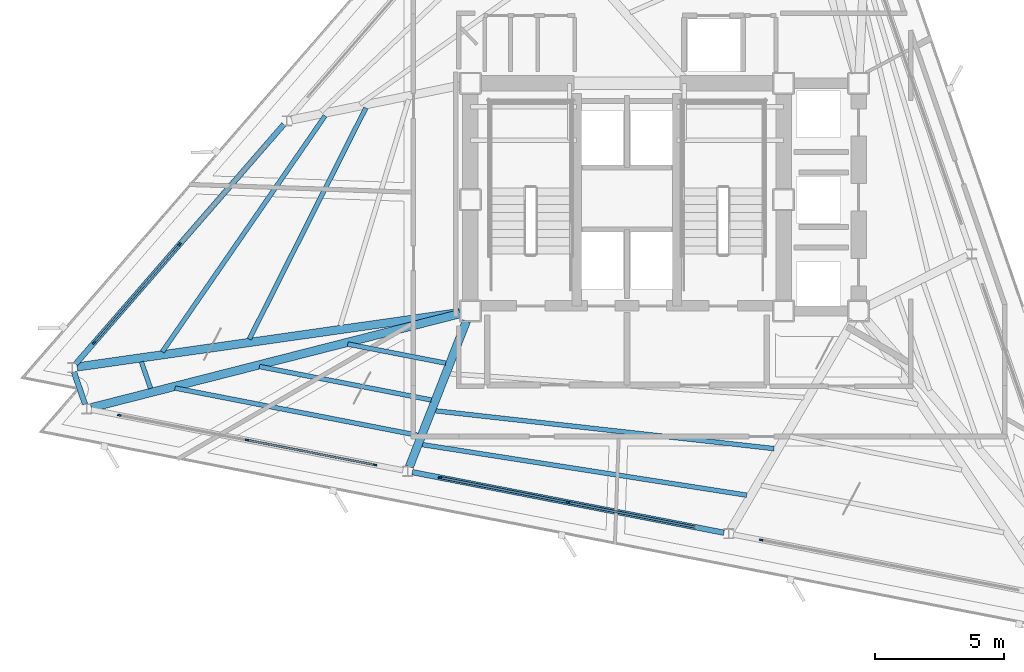
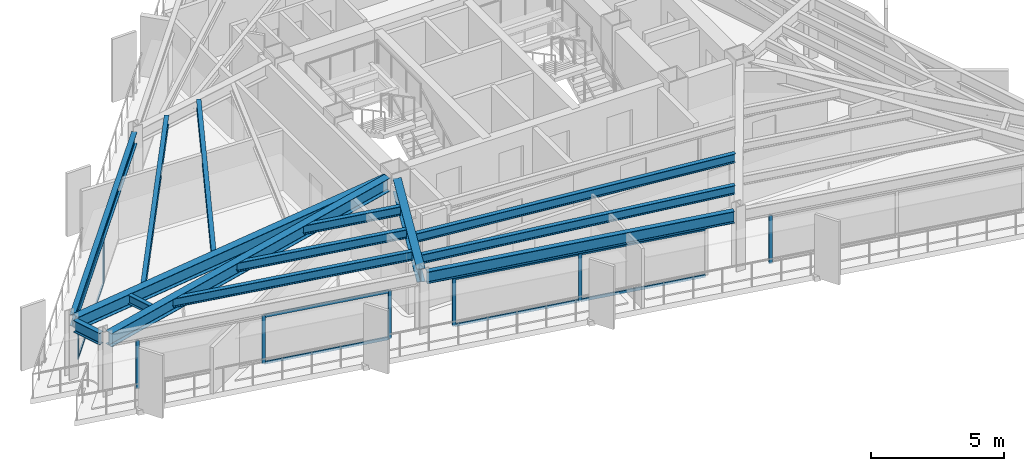
# One storey, part 2 of 13: 16 members, 14 beams, 4 elements without a shape of their own.
"""IFC4 building model written with IfcOpenShell, lengths in metres."""

from ifc_helpers import new_model, si_unit, direction, frame, origin, origin_2d, place, context, subcontext, project, spatial, rectangle, i_section, extrude, material, layer, layer_set, material_profile, profile_set, type_object, element, aggregate, save


model = new_model("IFC4")

# Units and contexts
model_context = context("Model", 3, precision=1e-05, world=origin(), true_north=direction((0.0, 1.0)))
body_context = subcontext(model_context, "Body", "Model", "MODEL_VIEW")
ifc_project = project(units=[si_unit("LENGTHUNIT", "METRE"), si_unit("AREAUNIT", "SQUARE_METRE"), si_unit("VOLUMEUNIT", "CUBIC_METRE"), si_unit("PLANEANGLEUNIT", "RADIAN"), si_unit("MASSUNIT", "GRAM", prefix="KILO")], contexts=[model_context])

# Site, building, storey
site_placement = place(None, origin())
site = spatial("IfcSite", under=ifc_project, at=site_placement, CompositionType="ELEMENT")
building_placement = place(site_placement, origin())
building = spatial("IfcBuilding", under=site, at=building_placement, Name="Rocaltana Carrier Exchange", CompositionType="ELEMENT")
storey_placement = place(building_placement, frame((0.0, 0.0, 165.43994140625)))
storey = spatial("IfcBuildingStorey", under=building, at=storey_placement, Name="L52", CompositionType="ELEMENT", Elevation=165.43994140625)

# Curtain wall, members
ifc_material_1 = material(Name="Aluminium 6063-T6", Category="aluminium")
ifc_layer = layer(ifc_material_1, 0.135009765625)
ifc_layer_set = layer_set([ifc_layer], Name="Aluminium 6063-T6")
curtain_wall_type = type_object("IfcCurtainWallType", Name="Upper-Mid Acoustic Curtain Wall CW-04", PredefinedType="NOTDEFINED", material=ifc_layer_set)
curtain_wall_1_placement = place(storey_placement, origin())
curtain_wall_1 = element("IfcCurtainWall", 1, at=curtain_wall_1_placement, inside=storey, type_object=curtain_wall_type, Name="L52 CW-04 Run CW-L52-F2S3", PredefinedType="NOTDEFINED")
ifc_material_2 = material(Name="Aluminium 6063-T6", Category="aluminium")
ifc_material_profile_1 = material_profile(ifc_material_2, rectangle(XDim=0.06494140625, YDim=0.135009765625, at=origin_2d()), Name="AL-65X135")
ifc_profile_set_1 = profile_set([ifc_material_profile_1], Name="Aluminium 6063-T6")
member_type_1 = type_object("IfcMemberType", Name="CW-04 Mullion AL-65X135", PredefinedType="MULLION", material=ifc_profile_set_1)
member_1_placement = place(storey_placement, frame((-17.279541015625, -1.718505859375, 0.0), z_axis=(0.0, 0.0, 1.0), x_axis=(0.75471173919, -0.656056545375, 0.0)))
member_1 = element("IfcMember", 2, at=member_1_placement, type_object=member_type_1, Name="CW-04 mullion 2", PredefinedType="MULLION", context=body_context, shape_type="SweptSolid", body=[
    extrude(rectangle(XDim=0.06494140625, YDim=0.135009765625, at=origin_2d()), origin(), (0.0, 0.0, 1.0), 2.218017578125),
])
member_2_placement = place(storey_placement, frame((-20.582275390625, -5.517822265625, 0.0), z_axis=(0.0, 0.0, 1.0), x_axis=(0.75471173919, -0.656056545375, 0.0)))
member_2 = element("IfcMember", 3, at=member_2_placement, type_object=member_type_1, Name="CW-04 mullion 3", PredefinedType="MULLION", context=body_context, shape_type="SweptSolid", body=[
    extrude(rectangle(XDim=0.06494140625, YDim=0.135009765625, at=origin_2d()), origin(), (0.0, 0.0, 1.0), 2.218017578125),
])

curtain_wall_2_placement = place(storey_placement, origin())
curtain_wall_2 = element("IfcCurtainWall", 4, at=curtain_wall_2_placement, inside=storey, type_object=curtain_wall_type, Name="L52 CW-04 Run CW-L52-F3S1", PredefinedType="NOTDEFINED")
member_3_placement = place(storey_placement, frame((-19.6162109375, -8.323486328125, 0.0), z_axis=(0.0, 0.0, 1.0), x_axis=(0.190803361378, 0.981628278569, 0.0)))
member_3 = element("IfcMember", 5, at=member_3_placement, type_object=member_type_1, Name="CW-04 mullion 1", PredefinedType="MULLION", context=body_context, shape_type="SweptSolid", body=[
    extrude(rectangle(XDim=0.06494140625, YDim=0.135009765625, at=origin_2d()), origin(), (0.0, 0.0, 1.0), 2.218017578125),
])
member_4_placement = place(storey_placement, frame((-14.674560546875, -9.2841796875, 0.0), z_axis=(0.0, 0.0, 1.0), x_axis=(0.190803361378, 0.981628278569, 0.0)))
member_4 = element("IfcMember", 6, at=member_4_placement, type_object=member_type_1, Name="CW-04 mullion 2", PredefinedType="MULLION", context=body_context, shape_type="SweptSolid", body=[
    extrude(rectangle(XDim=0.06494140625, YDim=0.135009765625, at=origin_2d()), origin(), (0.0, 0.0, 1.0), 2.218017578125),
])
member_5_placement = place(storey_placement, frame((-9.732666015625, -10.24462890625, 0.0), z_axis=(0.0, 0.0, 1.0), x_axis=(0.190803361378, 0.981628278569, 0.0)))
member_5 = element("IfcMember", 7, at=member_5_placement, type_object=member_type_1, Name="CW-04 mullion 3", PredefinedType="MULLION", context=body_context, shape_type="SweptSolid", body=[
    extrude(rectangle(XDim=0.06494140625, YDim=0.135009765625, at=origin_2d()), origin(), (0.0, 0.0, 1.0), 2.218017578125),
])

curtain_wall_3_placement = place(storey_placement, origin())
curtain_wall_3 = element("IfcCurtainWall", 8, at=curtain_wall_3_placement, inside=storey, type_object=curtain_wall_type, Name="L52 CW-04 Run CW-L52-F3S2", PredefinedType="NOTDEFINED")
member_6_placement = place(storey_placement, frame((-7.21484375, -10.734130859375, 0.0), z_axis=(0.0, 0.0, 1.0), x_axis=(0.190814718784, 0.981626070913, 0.0)))
member_6 = element("IfcMember", 9, at=member_6_placement, type_object=member_type_1, Name="CW-04 mullion 1", PredefinedType="MULLION", context=body_context, shape_type="SweptSolid", body=[
    extrude(rectangle(XDim=0.06494140625, YDim=0.135009765625, at=origin_2d()), origin(), (0.0, 0.0, 1.0), 2.218017578125),
])
member_7_placement = place(storey_placement, frame((-2.273193359375, -11.694580078125, 0.0), z_axis=(0.0, 0.0, 1.0), x_axis=(0.190814718784, 0.981626070913, 0.0)))
member_7 = element("IfcMember", 10, at=member_7_placement, type_object=member_type_1, Name="CW-04 mullion 2", PredefinedType="MULLION", context=body_context, shape_type="SweptSolid", body=[
    extrude(rectangle(XDim=0.06494140625, YDim=0.135009765625, at=origin_2d()), origin(), (0.0, 0.0, 1.0), 2.218017578125),
])

# Curtain wall, member
curtain_wall_4_placement = place(storey_placement, origin())
curtain_wall_4 = element("IfcCurtainWall", 11, at=curtain_wall_4_placement, inside=storey, type_object=curtain_wall_type, Name="L52 CW-04 Run CW-L52-F3S3", PredefinedType="NOTDEFINED")
member_8_placement = place(storey_placement, frame((5.186279296875, -13.144775390625, 0.0), z_axis=(0.0, 0.0, 1.0), x_axis=(0.190805209699, 0.981627919301, 0.0)))
member_8 = element("IfcMember", 12, at=member_8_placement, type_object=member_type_1, Name="CW-04 mullion 1", PredefinedType="MULLION", context=body_context, shape_type="SweptSolid", body=[
    extrude(rectangle(XDim=0.06494140625, YDim=0.135009765625, at=origin_2d()), origin(), (0.0, 0.0, 1.0), 2.218017578125),
])
aggregate(curtain_wall_4, [member_8])

# Member
ifc_material_3 = material(Name="Aluminium 6063-T6", Category="aluminium")
ifc_material_profile_2 = material_profile(ifc_material_3, rectangle(XDim=0.06494140625, YDim=0.135009765625, at=origin_2d()), Name="AL-65X135")
ifc_profile_set_2 = profile_set([ifc_material_profile_2], Name="Aluminium 6063-T6")
member_type_2 = type_object("IfcMemberType", Name="CW-04 Transom AL-65X135", PredefinedType="USERDEFINED", material=ifc_profile_set_2)
member_9_placement = place(storey_placement, frame((-17.30078125, -1.742919921875, 0.032470703125), z_axis=(-0.656055850486, -0.754712343243, 0.0), x_axis=(0.754712343243, -0.656055850486, 0.0)))
member_9 = element("IfcMember", 13, at=member_9_placement, type_object=member_type_2, Name="CW-04 transom 2.1", ObjectType="TRANSOM", PredefinedType="USERDEFINED", context=body_context, shape_type="SweptSolid", body=[
    extrude(rectangle(XDim=0.06494140625, YDim=0.135009765625, at=origin_2d()), origin(), (0.0, 0.0, 1.0), 4.968994140625),
])

member_10_placement = place(storey_placement, frame((-17.30078125, -1.742919921875, 2.185546875), z_axis=(-0.656055850486, -0.754712343243, 0.0), x_axis=(0.754712343243, -0.656055850486, 0.0)))
member_10 = element("IfcMember", 14, at=member_10_placement, type_object=member_type_2, Name="CW-04 transom 2.2", ObjectType="TRANSOM", PredefinedType="USERDEFINED", context=body_context, shape_type="SweptSolid", body=[
    extrude(rectangle(XDim=0.06494140625, YDim=0.135009765625, at=origin_2d()), origin(), (0.0, 0.0, 1.0), 4.968994140625),
])

aggregate(curtain_wall_1, [member_1, member_2, member_9, member_10])

member_11_placement = place(storey_placement, frame((-14.642578125, -9.290283203125, 0.032470703125), z_axis=(0.981624593621, -0.1908223184, 0.0), x_axis=(0.1908223184, 0.981624593621, 0.0)))
member_11 = element("IfcMember", 15, at=member_11_placement, type_object=member_type_2, Name="CW-04 transom 2.1", ObjectType="TRANSOM", PredefinedType="USERDEFINED", context=body_context, shape_type="SweptSolid", body=[
    extrude(rectangle(XDim=0.06494140625, YDim=0.135009765625, at=origin_2d()), origin(), (0.0, 0.0, 1.0), 4.96923828125),
])

member_12_placement = place(storey_placement, frame((-14.642578125, -9.290283203125, 2.185546875), z_axis=(0.981624593621, -0.1908223184, 0.0), x_axis=(0.1908223184, 0.981624593621, 0.0)))
member_12 = element("IfcMember", 16, at=member_12_placement, type_object=member_type_2, Name="CW-04 transom 2.2", ObjectType="TRANSOM", PredefinedType="USERDEFINED", context=body_context, shape_type="SweptSolid", body=[
    extrude(rectangle(XDim=0.06494140625, YDim=0.135009765625, at=origin_2d()), origin(), (0.0, 0.0, 1.0), 4.96923828125),
])

aggregate(curtain_wall_2, [member_3, member_4, member_5, member_11, member_12])

member_13_placement = place(storey_placement, frame((-7.18310546875, -10.740234375, 0.032470703125), z_axis=(0.981624593621, -0.1908223184, 0.0), x_axis=(0.1908223184, 0.981624593621, 0.0)))
member_13 = element("IfcMember", 17, at=member_13_placement, type_object=member_type_2, Name="CW-04 transom 1.1", ObjectType="TRANSOM", PredefinedType="USERDEFINED", context=body_context, shape_type="SweptSolid", body=[
    extrude(rectangle(XDim=0.06494140625, YDim=0.135009765625, at=origin_2d()), origin(), (0.0, 0.0, 1.0), 4.96923828125),
])

member_14_placement = place(storey_placement, frame((-7.18310546875, -10.740234375, 2.185546875), z_axis=(0.981624593621, -0.1908223184, 0.0), x_axis=(0.1908223184, 0.981624593621, 0.0)))
member_14 = element("IfcMember", 18, at=member_14_placement, type_object=member_type_2, Name="CW-04 transom 1.2", ObjectType="TRANSOM", PredefinedType="USERDEFINED", context=body_context, shape_type="SweptSolid", body=[
    extrude(rectangle(XDim=0.06494140625, YDim=0.135009765625, at=origin_2d()), origin(), (0.0, 0.0, 1.0), 4.96923828125),
])

member_15_placement = place(storey_placement, frame((-2.2412109375, -11.700927734375, 0.032470703125), z_axis=(0.9816228045, -0.190831521732, 0.0), x_axis=(0.190831521732, 0.9816228045, 0.0)))
member_15 = element("IfcMember", 19, at=member_15_placement, type_object=member_type_2, Name="CW-04 transom 2.1", ObjectType="TRANSOM", PredefinedType="USERDEFINED", context=body_context, shape_type="SweptSolid", body=[
    extrude(rectangle(XDim=0.06494140625, YDim=0.135009765625, at=origin_2d()), origin(), (0.0, 0.0, 1.0), 4.968994140625),
])

member_16_placement = place(storey_placement, frame((-2.2412109375, -11.700927734375, 2.185546875), z_axis=(0.9816228045, -0.190831521732, 0.0), x_axis=(0.190831521732, 0.9816228045, 0.0)))
member_16 = element("IfcMember", 20, at=member_16_placement, type_object=member_type_2, Name="CW-04 transom 2.2", ObjectType="TRANSOM", PredefinedType="USERDEFINED", context=body_context, shape_type="SweptSolid", body=[
    extrude(rectangle(XDim=0.06494140625, YDim=0.135009765625, at=origin_2d()), origin(), (0.0, 0.0, 1.0), 4.968994140625),
])

aggregate(curtain_wall_3, [member_6, member_7, member_13, member_14, member_15, member_16])

# Beams
ifc_material_4 = material(Name="Steel S355", Category="steel")
ifc_material_profile_3 = material_profile(ifc_material_4, i_section(OverallWidth=0.179931640625, OverallDepth=0.4130859375, WebThickness=0.009765625, FlangeThickness=0.01611328125, FilletRadius=0.012939453125, at=origin_2d()), Name="W16X50")
ifc_profile_set_3 = profile_set([ifc_material_profile_3], Name="Steel S355")
beam_type_1 = type_object("IfcBeamType", Name="Floor Joist W16X50", PredefinedType="JOIST", material=ifc_profile_set_3)
beam_1_placement = place(storey_placement, frame((-10.087890625, 3.548095703125, 2.58154296875), z_axis=(-0.449993841854, -0.893031658058, 0.0), x_axis=(0.893031658058, -0.449993841854, 0.0)))
element("IfcBeam", 21, at=beam_1_placement, inside=storey, type_object=beam_type_1, Name="FJ-L52-07-2", PredefinedType="JOIST", context=body_context, shape_type="SweptSolid", body=[
    extrude(i_section(OverallWidth=0.179931640625, OverallDepth=0.4130859375, WebThickness=0.009765625, FlangeThickness=0.01611328125, FilletRadius=0.012939453125, at=origin_2d()), origin(), (0.0, 0.0, 1.0), 10.0029296875),
])
beam_2_placement = place(storey_placement, frame((-11.665283203125, 3.239501953125, 2.58154296875), z_axis=(-0.567777260515, -0.823182229183, 0.0), x_axis=(0.823182229183, -0.567777260515, 0.0)))
element("IfcBeam", 22, at=beam_2_placement, inside=storey, type_object=beam_type_1, Name="FJ-L52-07-3", PredefinedType="JOIST", context=body_context, shape_type="SweptSolid", body=[
    extrude(i_section(OverallWidth=0.179931640625, OverallDepth=0.4130859375, WebThickness=0.009765625, FlangeThickness=0.01611328125, FilletRadius=0.012939453125, at=origin_2d()), origin(), (0.0, 0.0, 1.0), 11.073974609375),
])
beam_3_placement = place(storey_placement, frame((-18.75927734375, -6.26171875, 2.58154296875), z_axis=(0.32558209601, -0.945513775023, 0.0), x_axis=(0.945513775023, 0.32558209601, 0.0)))
element("IfcBeam", 23, at=beam_3_placement, inside=storey, type_object=beam_type_1, Name="FJ-L52-08-3", PredefinedType="JOIST", context=body_context, shape_type="SweptSolid", body=[
    extrude(i_section(OverallWidth=0.179931640625, OverallDepth=0.4130859375, WebThickness=0.009765625, FlangeThickness=0.01611328125, FilletRadius=0.012939453125, at=origin_2d()), origin(), (0.0, 0.0, 1.0), 1.08642578125),
])
beam_4_placement = place(storey_placement, frame((-10.7890625, -5.576904296875, 2.58154296875), z_axis=(0.981632516302, -0.190781558172, 0.0), x_axis=(0.190781558172, 0.981632516302, 0.0)))
element("IfcBeam", 24, at=beam_4_placement, inside=storey, type_object=beam_type_1, Name="FJ-L52-09-1", PredefinedType="JOIST", context=body_context, shape_type="SweptSolid", body=[
    extrude(i_section(OverallWidth=0.179931640625, OverallDepth=0.4130859375, WebThickness=0.009765625, FlangeThickness=0.01611328125, FilletRadius=0.012939453125, at=origin_2d()), origin(), (0.0, 0.0, 1.0), 3.85693359375),
])
beam_5_placement = place(storey_placement, frame((-14.198974609375, -6.44580078125, 2.58154296875), z_axis=(0.981623092211, -0.190830041758, 0.0), x_axis=(0.190830041758, 0.981623092211, 0.0)))
element("IfcBeam", 25, at=beam_5_placement, inside=storey, type_object=beam_type_1, Name="FJ-L52-09-2", PredefinedType="JOIST", context=body_context, shape_type="SweptSolid", body=[
    extrude(i_section(OverallWidth=0.179931640625, OverallDepth=0.4130859375, WebThickness=0.009765625, FlangeThickness=0.01611328125, FilletRadius=0.012939453125, at=origin_2d()), origin(), (0.0, 0.0, 1.0), 6.7626953125),
])
beam_6_placement = place(storey_placement, frame((-17.46044921875, -7.27734375, 2.58154296875), z_axis=(0.981630034489, -0.190794327456, 0.0), x_axis=(0.190794327456, 0.981630034489, 0.0)))
element("IfcBeam", 26, at=beam_6_placement, inside=storey, type_object=beam_type_1, Name="FJ-L52-09-3", PredefinedType="JOIST", context=body_context, shape_type="SweptSolid", body=[
    extrude(i_section(OverallWidth=0.179931640625, OverallDepth=0.4130859375, WebThickness=0.009765625, FlangeThickness=0.01611328125, FilletRadius=0.012939453125, at=origin_2d()), origin(), (0.0, 0.0, 1.0), 9.5419921875),
])
beam_7_placement = place(storey_placement, frame((-7.397705078125, -8.15478515625, 2.58154296875), z_axis=(0.993827043541, -0.110940558529, 0.0), x_axis=(0.110940558529, 0.993827043541, 0.0)))
element("IfcBeam", 27, at=beam_7_placement, inside=storey, type_object=beam_type_1, Name="FJ-L52-10-2", PredefinedType="JOIST", context=body_context, shape_type="SweptSolid", body=[
    extrude(i_section(OverallWidth=0.179931640625, OverallDepth=0.4130859375, WebThickness=0.009765625, FlangeThickness=0.01611328125, FilletRadius=0.012939453125, at=origin_2d()), origin(), (0.0, 0.0, 1.0), 13.159912109375),
])
beam_8_placement = place(storey_placement, frame((-7.90771484375, -9.461181640625, 2.58154296875), z_axis=(0.988080457821, -0.153938328148, 0.0), x_axis=(0.153938328148, 0.988080457821, 0.0)))
element("IfcBeam", 28, at=beam_8_placement, inside=storey, type_object=beam_type_1, Name="FJ-L52-10-3", PredefinedType="JOIST", context=body_context, shape_type="SweptSolid", body=[
    extrude(i_section(OverallWidth=0.179931640625, OverallDepth=0.4130859375, WebThickness=0.009765625, FlangeThickness=0.01611328125, FilletRadius=0.012939453125, at=origin_2d()), origin(), (0.0, 0.0, 1.0), 12.68603515625),
])
ifc_material_5 = material(Name="Steel S355", Category="steel")
ifc_material_profile_4 = material_profile(ifc_material_5, i_section(OverallWidth=0.323974609375, OverallDepth=0.611083984375, WebThickness=0.0126953125, FlangeThickness=0.01904296875, FilletRadius=0.01611328125, at=origin_2d()), Name="W24X104")
ifc_profile_set_4 = profile_set([ifc_material_profile_4], Name="Steel S355")
beam_type_2 = type_object("IfcBeamType", Name="Radial Girder W24X104", PredefinedType="BEAM", material=ifc_profile_set_4)
beam_9_placement = place(storey_placement, frame((-6.462890625, -4.358642578125, 2.482666015625), z_axis=(-0.990042513649, -0.140768679638, 0.0), x_axis=(0.140768679638, -0.990042513649, 0.0)))
element("IfcBeam", 29, at=beam_9_placement, inside=storey, type_object=beam_type_2, Name="RG-L52-08", PredefinedType="BEAM", context=body_context, shape_type="SweptSolid", body=[
    extrude(i_section(OverallWidth=0.323974609375, OverallDepth=0.611083984375, WebThickness=0.0126953125, FlangeThickness=0.01904296875, FilletRadius=0.01611328125, at=origin_2d()), origin(), (0.0, 0.0, 1.0), 14.92578125),
])
beam_10_placement = place(storey_placement, frame((-6.4541015625, -4.403076171875, 2.482666015625), z_axis=(-0.969014301438, -0.247004622644, 0.0), x_axis=(0.247004622644, -0.969014301438, 0.0)))
element("IfcBeam", 30, at=beam_10_placement, inside=storey, type_object=beam_type_2, Name="RG-L52-09", PredefinedType="BEAM", context=body_context, shape_type="SweptSolid", body=[
    extrude(i_section(OverallWidth=0.323974609375, OverallDepth=0.611083984375, WebThickness=0.0126953125, FlangeThickness=0.01904296875, FilletRadius=0.01611328125, at=origin_2d()), origin(), (0.0, 0.0, 1.0), 14.696533203125),
])
beam_11_placement = place(storey_placement, frame((-6.2021484375, -4.688232421875, 2.482666015625), z_axis=(-0.364639954238, -0.93114859382, 0.0), x_axis=(0.93114859382, -0.364639954238, 0.0)))
element("IfcBeam", 31, at=beam_11_placement, inside=storey, type_object=beam_type_2, Name="RG-L52-10", PredefinedType="BEAM", context=body_context, shape_type="SweptSolid", body=[
    extrude(i_section(OverallWidth=0.323974609375, OverallDepth=0.611083984375, WebThickness=0.0126953125, FlangeThickness=0.01904296875, FilletRadius=0.01611328125, at=origin_2d()), origin(), (0.0, 0.0, 1.0), 6.044677734375),
])
ifc_material_6 = material(Name="Steel S355", Category="steel")
ifc_material_profile_5 = material_profile(ifc_material_6, i_section(OverallWidth=0.2119140625, OverallDepth=0.5439453125, WebThickness=0.01318359375, FlangeThickness=0.021240234375, FilletRadius=0.014892578125, at=origin_2d()), Name="W21X83")
ifc_profile_set_5 = profile_set([ifc_material_profile_5], Name="Steel S355")
beam_type_3 = type_object("IfcBeamType", Name="Spandrel Edge Beam W21X83", PredefinedType="SPANDREL", material=ifc_profile_set_5)
beam_12_placement = place(storey_placement, frame((-13.257080078125, 2.90869140625, 2.51611328125), z_axis=(-0.65606829307, -0.754701526982, 0.0), x_axis=(0.754701526982, -0.65606829307, 0.0)))
element("IfcBeam", 32, at=beam_12_placement, inside=storey, type_object=beam_type_3, Name="SP-L52-07", PredefinedType="SPANDREL", context=body_context, shape_type="SweptSolid", body=[
    extrude(i_section(OverallWidth=0.2119140625, OverallDepth=0.5439453125, WebThickness=0.01318359375, FlangeThickness=0.021240234375, FilletRadius=0.014892578125, at=origin_2d()), origin(), (0.0, 0.0, 1.0), 12.26220703125),
])
beam_13_placement = place(storey_placement, frame((-21.36328125, -6.6611328125, 2.51611328125), z_axis=(0.325521108858, -0.945534773389, 0.0), x_axis=(0.945534773389, 0.325521108858, 0.0)))
element("IfcBeam", 33, at=beam_13_placement, inside=storey, type_object=beam_type_3, Name="SP-L52-08", PredefinedType="SPANDREL", context=body_context, shape_type="SweptSolid", body=[
    extrude(i_section(OverallWidth=0.2119140625, OverallDepth=0.5439453125, WebThickness=0.01318359375, FlangeThickness=0.021240234375, FilletRadius=0.014892578125, at=origin_2d()), origin(), (0.0, 0.0, 1.0), 1.31396484375),
])
beam_14_placement = place(storey_placement, frame((-8.291748046875, -10.52490234375, 2.51611328125), z_axis=(0.98162989356, -0.190795052531, 0.0), x_axis=(0.190795052531, 0.98162989356, 0.0)))
element("IfcBeam", 34, at=beam_14_placement, inside=storey, type_object=beam_type_3, Name="SP-L52-10", PredefinedType="SPANDREL", context=body_context, shape_type="SweptSolid", body=[
    extrude(i_section(OverallWidth=0.2119140625, OverallDepth=0.5439453125, WebThickness=0.01318359375, FlangeThickness=0.021240234375, FilletRadius=0.014892578125, at=origin_2d()), origin(), (0.0, 0.0, 1.0), 12.262451171875),
])

save(model, "model.ifc")
